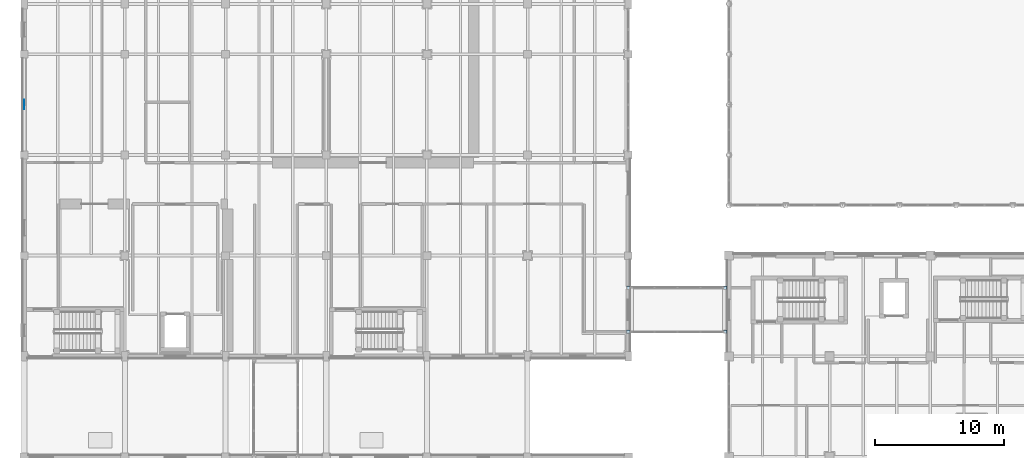
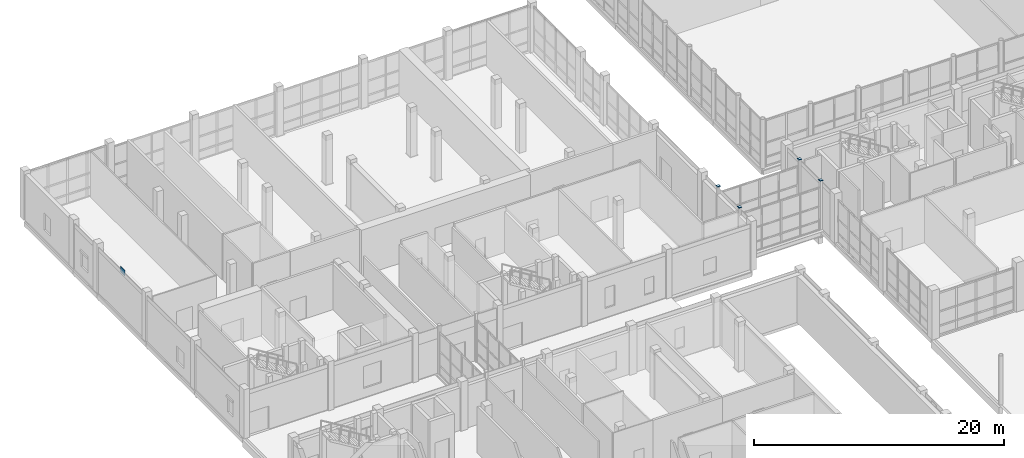
# One storey, part 85 of 131: 5 plates.
"""IFC4 building model written with IfcOpenShell, lengths in metres."""

from ifc_helpers import new_model, si_unit, direction, frame, origin, origin_2d, place, context, subcontext, project, spatial, rectangle, extrude, material, layer, layer_set, type_object, element, save


model = new_model("IFC4")

# Units and contexts
model_context = context("Model", 3, precision=1e-05, world=origin(), true_north=direction((0.0, 1.0)))
body_context = subcontext(model_context, "Body", "Model", "MODEL_VIEW")
ifc_project = project(units=[si_unit("LENGTHUNIT", "METRE"), si_unit("AREAUNIT", "SQUARE_METRE"), si_unit("VOLUMEUNIT", "CUBIC_METRE"), si_unit("PLANEANGLEUNIT", "RADIAN"), si_unit("MASSUNIT", "GRAM", prefix="KILO")], contexts=[model_context])

# Site, building, storey
site_placement = place(None, origin())
site = spatial("IfcSite", under=ifc_project, at=site_placement, CompositionType="ELEMENT")
building_placement = place(site_placement, origin())
building = spatial("IfcBuilding", under=site, at=building_placement, Name="Celorna Specialist Clinic", CompositionType="ELEMENT")
storey_placement = place(building_placement, origin())
storey = spatial("IfcBuildingStorey", under=building, at=storey_placement, Name="L00", CompositionType="ELEMENT", Elevation=0.0)

# Plates
ifc_material = material(Name="Steel S355", Category="steel")
ifc_layer_1 = layer(ifc_material, 0.013916015625, Name="Steel S355")
ifc_layer_set_1 = layer_set([ifc_layer_1], Name="Steel S355")
plate_type_1 = type_object("IfcPlateType", Name="EP-05", PredefinedType="SHEET", material=ifc_layer_set_1)
for number, where, z_axis, x_axis, name in (
    (1, (46.800048828125, 37.0, 4.800048828125), (0.0, 0.0, 1.0), (1.0, 0.0, 0.0), "Hollow column cap plate COL-L00-CT-15-4680-3700"),
    (2, (54.300048828125, 37.0, 4.800048828125), (0.0, 0.0, 1.0), (1.0, 0.0, 0.0), "Hollow column cap plate COL-L00-CT-15-5430-3700"),
    (3, (46.800048828125, 40.39990234375, 4.800048828125), (0.0, 0.0, 1.0), (1.0, 0.0, 0.0), "Hollow column cap plate COL-L00-CT-15-4680-4040"),
    (4, (54.300048828125, 40.39990234375, 4.800048828125), (0.0, 0.0, 1.0), (1.0, 0.0, 0.0), "Hollow column cap plate COL-L00-CT-15-5430-4040"),
):
    element("IfcPlate", number, at=place(storey_placement, frame(where, z_axis=z_axis, x_axis=x_axis)), inside=storey, type_object=plate_type_1, Name=name, PredefinedType="SHEET", context=body_context, shape_type="SweptSolid", body=[
        extrude(rectangle(XDim=0.280029296875, YDim=0.280029296875, at=origin_2d()), origin(), (0.0, 0.0, 1.0), 0.01611328125),
    ])
ifc_layer_2 = layer(ifc_material, 0.02490234375, Name="Steel S355")
ifc_layer_set_2 = layer_set([ifc_layer_2], Name="Steel S355")
plate_type_2 = type_object("IfcPlateType", Name="GP-02", PredefinedType="USERDEFINED", material=ifc_layer_set_2)
plate_placement = place(storey_placement, frame((0.0, 54.60009765625, 3.969970703125), z_axis=(0.0, 0.0, 1.0), x_axis=(0.0, 1.0, 0.0)))
element("IfcPlate", 5, at=plate_placement, inside=storey, type_object=plate_type_2, Name="Chevron apex gusset plate GP-02 #78", ObjectType="GUSSET PLATE", PredefinedType="USERDEFINED", context=body_context, shape_type="SweptSolid", body=[
    extrude(rectangle(XDim=0.719970703125, YDim=0.02490234375, at=origin_2d()), origin(), (0.0, 0.0, 1.0), 0.56005859375),
])

save(model, "model.ifc")
